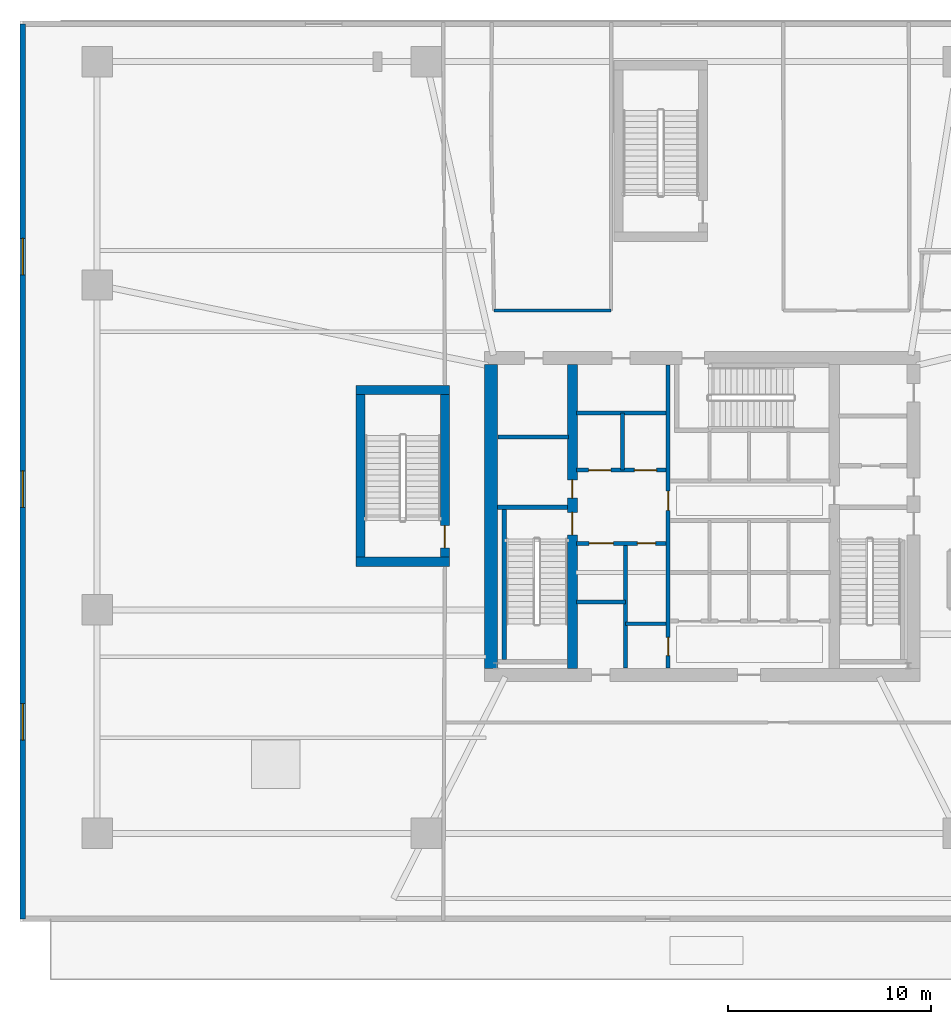
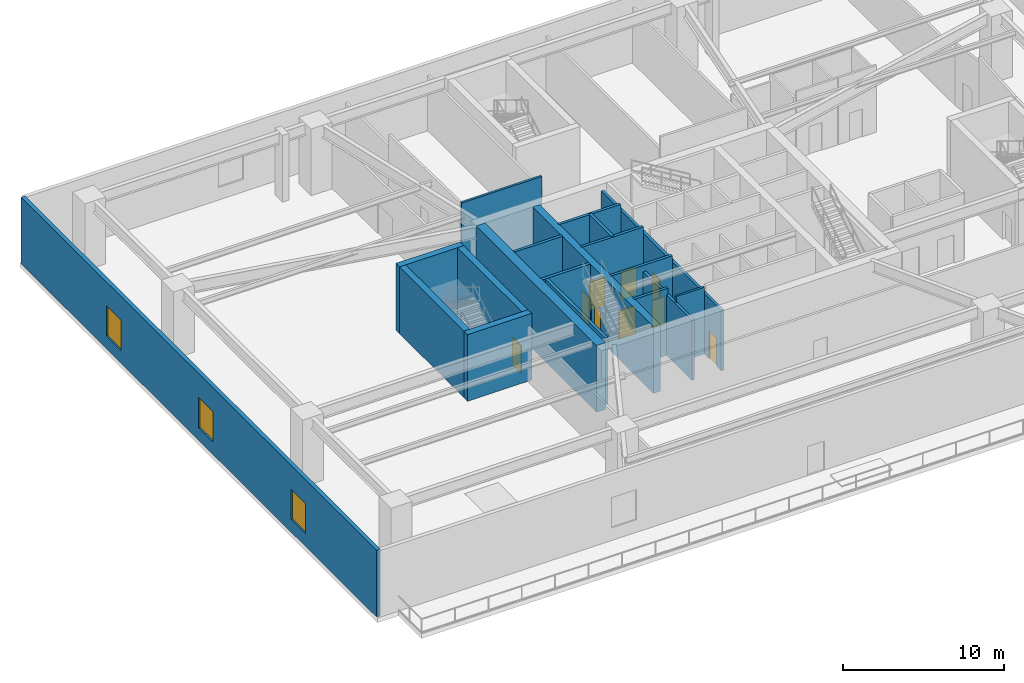
# One storey, part 4 of 11: 19 walls, 9 doors, 3 windows, 12 openings.
"""IFC4 building model written with IfcOpenShell, lengths in metres."""

from ifc_helpers import new_model, si_unit, direction, frame, frame_2d, origin, place, context, subcontext, project, spatial, rectangle, extrude, material, layer, layer_set, type_object, element, fill, save


model = new_model("IFC4")

# Units and contexts
model_context = context("Model", 3, precision=1e-05, world=origin(), true_north=direction((0.0, 1.0)))
body_context = subcontext(model_context, "Body", "Model", "MODEL_VIEW")
ifc_project = project(units=[si_unit("LENGTHUNIT", "METRE"), si_unit("AREAUNIT", "SQUARE_METRE"), si_unit("VOLUMEUNIT", "CUBIC_METRE"), si_unit("PLANEANGLEUNIT", "RADIAN"), si_unit("MASSUNIT", "GRAM", prefix="KILO")], contexts=[model_context])

# Site, building, storey
site_placement = place(None, origin())
site = spatial("IfcSite", under=ifc_project, at=site_placement, CompositionType="ELEMENT")
building_placement = place(site_placement, origin())
building = spatial("IfcBuilding", under=site, at=building_placement, Name="Qarnah Convention Tower", CompositionType="ELEMENT")
storey_placement = place(building_placement, frame((0.0, 0.0, 10.800048828125)))
storey = spatial("IfcBuildingStorey", under=building, at=storey_placement, Name="L02", CompositionType="ELEMENT", Elevation=10.800048828125)

# Wall
ifc_material_1 = material(Name="Concrete C60/75", Category="concrete")
ifc_layer_1 = layer(ifc_material_1, 0.64990234375)
ifc_layer_set_1 = layer_set([ifc_layer_1], Name="Concrete C60/75")
wall_type_1 = type_object("IfcWallType", Name="WL-CORE-650", PredefinedType="SHEAR", material=ifc_layer_set_1)
wall_1_placement = place(storey_placement, frame((26.800048828125, 18.925048828125, 0.0), z_axis=(0.0, 0.0, 1.0), x_axis=(0.0, 1.0, 0.0)))
element("IfcWall", 1, at=wall_1_placement, inside=storey, type_object=wall_type_1, Name="L02 core west shear wall", PredefinedType="SHEAR", context=body_context, shape_type="SweptSolid", body=[
    extrude(rectangle(XDim=14.949951171875, YDim=0.64990234375, at=frame_2d((7.47509765625, 0.0))), origin(), (0.0, 0.0, 1.0), 5.050048828125),
])

# Wall, openings, doors
ifc_layer_2 = layer(ifc_material_1, 0.5)
ifc_layer_set_2 = layer_set([ifc_layer_2], Name="Concrete C60/75")
wall_type_2 = type_object("IfcWallType", Name="WL-CORE-INT-400", PredefinedType="SHEAR", material=ifc_layer_set_2)
wall_2_placement = place(storey_placement, frame((30.800048828125, 18.925048828125, 0.0), z_axis=(0.0, 0.0, 1.0), x_axis=(0.0, 1.0, 0.0)))
wall_2 = element("IfcWall", 2, at=wall_2_placement, inside=storey, type_object=wall_type_2, Name="L02 core west spine shear wall", PredefinedType="SHEAR", context=body_context, shape_type="SweptSolid", body=[
    extrude(rectangle(XDim=14.949951171875, YDim=0.5, at=frame_2d((7.47509765625, 0.0))), origin(), (0.0, 0.0, 1.0), 5.050048828125),
])
opening_1_placement = place(wall_2_placement, frame((6.574951171875, 0.0, 0.0)))
opening_1 = element("IfcOpeningElement", 3, at=opening_1_placement, cuts=wall_2, Name="Opening D-0201", PredefinedType="OPENING", context=body_context, shape_type="SweptSolid", body=[
    extrude(rectangle(XDim=1.10009765625, YDim=2.14990234375, at=frame_2d((0.550048828125, 1.074951171875))), frame((0.0, 0.260009765625, 0.0), z_axis=(0.0, -1.0, 0.0), x_axis=(1.0, 0.0, 0.0)), (0.0, 0.0, 1.0), 0.52001953125),
])
opening_2_placement = place(wall_2_placement, frame((8.375, 0.0, 0.0)))
opening_2 = element("IfcOpeningElement", 4, at=opening_2_placement, cuts=wall_2, Name="Opening D-0208", PredefinedType="OPENING", context=body_context, shape_type="SweptSolid", body=[
    extrude(rectangle(XDim=0.89990234375, YDim=2.10009765625, at=frame_2d((0.449951171875, 1.050048828125))), frame((0.0, 0.260009765625, 0.0), z_axis=(0.0, -1.0, 0.0), x_axis=(1.0, 0.0, 0.0)), (0.0, 0.0, 1.0), 0.52001953125),
])
ifc_material_2 = material(Name="Structural steel S355JR", Category="steel")
door_type_1 = type_object("IfcDoorType", Name="DT-RISER-900", OperationType="NOTDEFINED", PredefinedType="DOOR", material=ifc_material_2)
door_1_placement = place(opening_2_placement, origin())
door_1 = element("IfcDoor", 5, at=door_1_placement, inside=storey, type_object=door_type_1, Name="Door D-0208", OperationType="SINGLE_SWING_LEFT", OverallHeight=2.10009765625, OverallWidth=0.89990234375, PredefinedType="DOOR", context=body_context, shape_type="SweptSolid", body=[
    extrude(rectangle(XDim=0.89990234375, YDim=2.10009765625, at=frame_2d((0.449951171875, 1.050048828125))), frame((0.0, 0.02490234375, 0.0), z_axis=(0.0, -1.0, 0.0), x_axis=(1.0, 0.0, 0.0)), (0.0, 0.0, 1.0), 0.050048828125),
])
fill(opening_2, door_1)
door_type_2 = type_object("IfcDoorType", Name="DT-STAIR-1100", OperationType="NOTDEFINED", PredefinedType="DOOR", material=ifc_material_2)
door_2_placement = place(opening_1_placement, origin())
door_2 = element("IfcDoor", 6, at=door_2_placement, inside=storey, type_object=door_type_2, Name="Door D-0201", OperationType="SINGLE_SWING_RIGHT", OverallHeight=2.14990234375, OverallWidth=1.10009765625, PredefinedType="DOOR", context=body_context, shape_type="SweptSolid", body=[
    extrude(rectangle(XDim=1.10009765625, YDim=2.14990234375, at=frame_2d((0.550048828125, 1.074951171875))), frame((0.0, 0.02490234375, 0.0), z_axis=(0.0, -1.0, 0.0), x_axis=(1.0, 0.0, 0.0)), (0.0, 0.0, 1.0), 0.050048828125),
])
fill(opening_1, door_2)

# Wall
ifc_material_3 = material(Name="Concrete C45/55", Category="concrete")
ifc_layer_3 = layer(ifc_material_3, 0.199951171875)
ifc_layer_set_3 = layer_set([ifc_layer_3], Name="Concrete C45/55")
wall_type_3 = type_object("IfcWallType", Name="WL-CORE-PART-200", PredefinedType="SOLIDWALL", material=ifc_layer_set_3)
wall_3_placement = place(storey_placement, frame((27.14990234375, 30.320068359375, 0.0), z_axis=(0.0, 0.0, 1.0), x_axis=(1.0, 0.0, 0.0)))
element("IfcWall", 7, at=wall_3_placement, inside=storey, type_object=wall_type_3, Name="L02 interior wall IW-L02-ELRN", PredefinedType="SOLIDWALL", context=body_context, shape_type="SweptSolid", body=[
    extrude(rectangle(XDim=3.4501953125, YDim=0.199951171875, at=frame_2d((1.72509765625, 0.0))), origin(), (0.0, 0.0, 1.0), 5.050048828125),
])

# Wall, openings, doors
wall_4_placement = place(storey_placement, frame((35.52001953125, 18.949951171875, 0.0), z_axis=(0.0, 0.0, 1.0), x_axis=(0.0, 1.0, 0.0)))
wall_4 = element("IfcWall", 8, at=wall_4_placement, inside=storey, type_object=wall_type_3, Name="L02 interior wall IW-L02-CSP", PredefinedType="SOLIDWALL", context=body_context, shape_type="SweptSolid", body=[
    extrude(rectangle(XDim=14.900146484375, YDim=0.199951171875, at=frame_2d((7.4501953125, 0.0))), origin(), (0.0, 0.0, 1.0), 4.571044921875),
])
opening_3_placement = place(wall_4_placement, frame((7.7548828125, 0.0, 0.0)))
opening_3 = element("IfcOpeningElement", 9, at=opening_3_placement, cuts=wall_4, Name="Opening D-0204", PredefinedType="OPENING", context=body_context, shape_type="SweptSolid", body=[
    extrude(rectangle(XDim=0.949951171875, YDim=2.14990234375, at=frame_2d((0.47509765625, 1.074951171875))), frame((0.0, 0.10986328125, 0.0), z_axis=(0.0, -1.0, 0.0), x_axis=(1.0, 0.0, 0.0)), (0.0, 0.0, 1.0), 0.219970703125),
])
opening_4_placement = place(wall_4_placement, frame((0.60009765625, 0.0, 0.0)))
opening_4 = element("IfcOpeningElement", 10, at=opening_4_placement, cuts=wall_4, Name="Opening D-0214", PredefinedType="OPENING", context=body_context, shape_type="SweptSolid", body=[
    extrude(rectangle(XDim=0.89990234375, YDim=2.10009765625, at=frame_2d((0.449951171875, 1.050048828125))), frame((0.0, 0.10986328125, 0.0), z_axis=(0.0, -1.0, 0.0), x_axis=(1.0, 0.0, 0.0)), (0.0, 0.0, 1.0), 0.219970703125),
])
ifc_material_4 = material(Name="Oak timber veneer", Category="wood")
door_type_3 = type_object("IfcDoorType", Name="DT-HOTEL-950", OperationType="NOTDEFINED", PredefinedType="DOOR", material=ifc_material_4)
door_3_placement = place(opening_3_placement, origin())
door_3 = element("IfcDoor", 11, at=door_3_placement, inside=storey, type_object=door_type_3, Name="Door D-0204", OperationType="SINGLE_SWING_LEFT", OverallHeight=2.14990234375, OverallWidth=0.949951171875, PredefinedType="DOOR", context=body_context, shape_type="SweptSolid", body=[
    extrude(rectangle(XDim=0.949951171875, YDim=2.14990234375, at=frame_2d((0.47509765625, 1.074951171875))), frame((0.0, 0.02490234375, 0.0), z_axis=(0.0, -1.0, 0.0), x_axis=(1.0, 0.0, 0.0)), (0.0, 0.0, 1.0), 0.050048828125),
])
fill(opening_3, door_3)
door_4_placement = place(opening_4_placement, origin())
door_4 = element("IfcDoor", 12, at=door_4_placement, inside=storey, type_object=door_type_1, Name="Door D-0214", OperationType="SINGLE_SWING_LEFT", OverallHeight=2.10009765625, OverallWidth=0.89990234375, PredefinedType="DOOR", context=body_context, shape_type="SweptSolid", body=[
    extrude(rectangle(XDim=0.89990234375, YDim=2.10009765625, at=frame_2d((0.449951171875, 1.050048828125))), frame((0.0, 0.02490234375, 0.0), z_axis=(0.0, -1.0, 0.0), x_axis=(1.0, 0.0, 0.0)), (0.0, 0.0, 1.0), 0.050048828125),
])
fill(opening_4, door_4)

wall_5_placement = place(storey_placement, frame((31.0, 28.679931640625, 0.0), z_axis=(0.0, 0.0, 1.0), x_axis=(1.0, 0.0, 0.0)))
wall_5 = element("IfcWall", 13, at=wall_5_placement, inside=storey, type_object=wall_type_3, Name="L02 interior wall IW-L02-FFLS", PredefinedType="SOLIDWALL", context=body_context, shape_type="SweptSolid", body=[
    extrude(rectangle(XDim=4.419921875, YDim=0.199951171875, at=frame_2d((2.2099609375, 0.0))), origin(), (0.0, 0.0, 1.0), 5.050048828125),
])
opening_5_placement = place(wall_5_placement, frame((0.60009765625, 0.0, 0.0)))
opening_5 = element("IfcOpeningElement", 14, at=opening_5_placement, cuts=wall_5, Name="Opening LD-0201", PredefinedType="OPENING", context=body_context, shape_type="SweptSolid", body=[
    extrude(rectangle(XDim=1.10009765625, YDim=2.14990234375, at=frame_2d((0.550048828125, 1.074951171875))), frame((0.0, 0.10986328125, 0.0), z_axis=(0.0, -1.0, 0.0), x_axis=(1.0, 0.0, 0.0)), (0.0, 0.0, 1.0), 0.219970703125),
])
opening_6_placement = place(wall_5_placement, frame((2.85009765625, 0.0, 0.0)))
opening_6 = element("IfcOpeningElement", 15, at=opening_6_placement, cuts=wall_5, Name="Opening LD-0202", PredefinedType="OPENING", context=body_context, shape_type="SweptSolid", body=[
    extrude(rectangle(XDim=1.10009765625, YDim=2.14990234375, at=frame_2d((0.550048828125, 1.074951171875))), frame((0.0, 0.10986328125, 0.0), z_axis=(0.0, -1.0, 0.0), x_axis=(1.0, 0.0, 0.0)), (0.0, 0.0, 1.0), 0.219970703125),
])
door_type_4 = type_object("IfcDoorType", Name="DT-LIFT-1100", OperationType="SLIDING_TO_LEFT", PredefinedType="DOOR", material=ifc_material_2)
door_5_placement = place(opening_5_placement, origin())
door_5 = element("IfcDoor", 16, at=door_5_placement, inside=storey, type_object=door_type_4, Name="Door LD-0201", OperationType="SLIDING_TO_LEFT", OverallHeight=2.14990234375, OverallWidth=1.10009765625, PredefinedType="DOOR", context=body_context, shape_type="SweptSolid", body=[
    extrude(rectangle(XDim=1.10009765625, YDim=2.14990234375, at=frame_2d((0.550048828125, 1.074951171875))), frame((0.0, 0.02490234375, 0.0), z_axis=(0.0, -1.0, 0.0), x_axis=(1.0, 0.0, 0.0)), (0.0, 0.0, 1.0), 0.050048828125),
])
fill(opening_5, door_5)
door_6_placement = place(opening_6_placement, origin())
door_6 = element("IfcDoor", 17, at=door_6_placement, inside=storey, type_object=door_type_4, Name="Door LD-0202", OperationType="SLIDING_TO_LEFT", OverallHeight=2.14990234375, OverallWidth=1.10009765625, PredefinedType="DOOR", context=body_context, shape_type="SweptSolid", body=[
    extrude(rectangle(XDim=1.10009765625, YDim=2.14990234375, at=frame_2d((0.550048828125, 1.074951171875))), frame((0.0, 0.02490234375, 0.0), z_axis=(0.0, -1.0, 0.0), x_axis=(1.0, 0.0, 0.0)), (0.0, 0.0, 1.0), 0.050048828125),
])
fill(opening_6, door_6)

# Walls
wall_6_placement = place(storey_placement, frame((31.0, 31.5, 0.0), z_axis=(0.0, 0.0, 1.0), x_axis=(1.0, 0.0, 0.0)))
element("IfcWall", 18, at=wall_6_placement, inside=storey, type_object=wall_type_3, Name="L02 interior wall IW-L02-FFLN", PredefinedType="SOLIDWALL", context=body_context, shape_type="SweptSolid", body=[
    extrude(rectangle(XDim=4.419921875, YDim=0.199951171875, at=frame_2d((2.2099609375, 0.0))), origin(), (0.0, 0.0, 1.0), 5.050048828125),
])
wall_7_placement = place(storey_placement, frame((33.280029296875, 28.679931640625, 0.0), z_axis=(0.0, 0.0, 1.0), x_axis=(0.0, 1.0, 0.0)))
element("IfcWall", 19, at=wall_7_placement, inside=storey, type_object=wall_type_3, Name="L02 interior wall IW-L02-FFLM", PredefinedType="SOLIDWALL", context=body_context, shape_type="SweptSolid", body=[
    extrude(rectangle(XDim=2.820068359375, YDim=0.199951171875, at=frame_2d((1.41015625, 0.0))), origin(), (0.0, 0.0, 1.0), 5.050048828125),
])

# Wall, openings, doors
wall_8_placement = place(storey_placement, frame((31.0, 25.080078125, 0.0), z_axis=(0.0, 0.0, 1.0), x_axis=(1.0, 0.0, 0.0)))
wall_8 = element("IfcWall", 20, at=wall_8_placement, inside=storey, type_object=wall_type_3, Name="L02 interior wall IW-L02-FFLBS", PredefinedType="SOLIDWALL", context=body_context, shape_type="SweptSolid", body=[
    extrude(rectangle(XDim=4.419921875, YDim=0.199951171875, at=frame_2d((2.2099609375, 0.0))), origin(), (0.0, 0.0, 1.0), 5.050048828125),
])
opening_7_placement = place(wall_8_placement, frame((3.0, 0.0, 0.0)))
opening_7 = element("IfcOpeningElement", 21, at=opening_7_placement, cuts=wall_8, Name="Opening D-0215", PredefinedType="OPENING", context=body_context, shape_type="SweptSolid", body=[
    extrude(rectangle(XDim=0.89990234375, YDim=2.10009765625, at=frame_2d((0.449951171875, 1.050048828125))), frame((0.0, 0.10986328125, 0.0), z_axis=(0.0, -1.0, 0.0), x_axis=(1.0, 0.0, 0.0)), (0.0, 0.0, 1.0), 0.219970703125),
])
opening_8_placement = place(wall_8_placement, frame((0.6201171875, 0.0, 0.0)))
opening_8 = element("IfcOpeningElement", 22, at=opening_8_placement, cuts=wall_8, Name="Opening LD-0203", PredefinedType="OPENING", context=body_context, shape_type="SweptSolid", body=[
    extrude(rectangle(XDim=1.199951171875, YDim=2.14990234375, at=frame_2d((0.60009765625, 1.074951171875))), frame((0.0, 0.10986328125, 0.0), z_axis=(0.0, -1.0, 0.0), x_axis=(1.0, 0.0, 0.0)), (0.0, 0.0, 1.0), 0.219970703125),
])
door_type_5 = type_object("IfcDoorType", Name="DT-LIFT-1200", OperationType="SLIDING_TO_LEFT", PredefinedType="DOOR", material=ifc_material_2)
door_7_placement = place(opening_8_placement, origin())
door_7 = element("IfcDoor", 23, at=door_7_placement, inside=storey, type_object=door_type_5, Name="Door LD-0203", OperationType="SLIDING_TO_LEFT", OverallHeight=2.14990234375, OverallWidth=1.199951171875, PredefinedType="DOOR", context=body_context, shape_type="SweptSolid", body=[
    extrude(rectangle(XDim=1.199951171875, YDim=2.14990234375, at=frame_2d((0.60009765625, 1.074951171875))), frame((0.0, 0.02490234375, 0.0), z_axis=(0.0, -1.0, 0.0), x_axis=(1.0, 0.0, 0.0)), (0.0, 0.0, 1.0), 0.050048828125),
])
fill(opening_8, door_7)
door_8_placement = place(opening_7_placement, origin())
door_8 = element("IfcDoor", 24, at=door_8_placement, inside=storey, type_object=door_type_1, Name="Door D-0215", OperationType="SINGLE_SWING_RIGHT", OverallHeight=2.10009765625, OverallWidth=0.89990234375, PredefinedType="DOOR", context=body_context, shape_type="SweptSolid", body=[
    extrude(rectangle(XDim=0.89990234375, YDim=2.10009765625, at=frame_2d((0.449951171875, 1.050048828125))), frame((0.0, 0.02490234375, 0.0), z_axis=(0.0, -1.0, 0.0), x_axis=(1.0, 0.0, 0.0)), (0.0, 0.0, 1.0), 0.050048828125),
])
fill(opening_7, door_8)

# Walls
wall_9_placement = place(storey_placement, frame((33.419921875, 18.949951171875, 0.0), z_axis=(0.0, 0.0, 1.0), x_axis=(0.0, 1.0, 0.0)))
element("IfcWall", 25, at=wall_9_placement, inside=storey, type_object=wall_type_3, Name="L02 interior wall IW-L02-SVLE", PredefinedType="SOLIDWALL", context=body_context, shape_type="SweptSolid", body=[
    extrude(rectangle(XDim=6.130126953125, YDim=0.199951171875, at=frame_2d((3.06494140625, 0.0))), origin(), (0.0, 0.0, 1.0), 4.571044921875),
])
wall_10_placement = place(storey_placement, frame((31.0, 22.179931640625, 0.0), z_axis=(0.0, 0.0, 1.0), x_axis=(1.0, 0.0, 0.0)))
element("IfcWall", 26, at=wall_10_placement, inside=storey, type_object=wall_type_3, Name="L02 interior wall IW-L02-SVLS", PredefinedType="SOLIDWALL", context=body_context, shape_type="SweptSolid", body=[
    extrude(rectangle(XDim=2.419921875, YDim=0.199951171875, at=frame_2d((1.2099609375, 0.0))), origin(), (0.0, 0.0, 1.0), 5.050048828125),
])
ifc_layer_4 = layer(ifc_material_1, 0.219970703125)
ifc_layer_set_4 = layer_set([ifc_layer_4], Name="Concrete C60/75")
wall_type_4 = type_object("IfcWallType", Name="WL-CORE-STAIR-220", PredefinedType="SHEAR", material=ifc_layer_set_4)
wall_11_placement = place(storey_placement, frame((27.125, 26.860107421875, 0.0), z_axis=(0.0, 0.0, 1.0), x_axis=(1.0, 0.0, 0.0)))
element("IfcWall", 27, at=wall_11_placement, inside=storey, type_object=wall_type_4, Name="L02 stair shaft shear wall SW-L02-ST1N", PredefinedType="SHEAR", context=body_context, shape_type="SweptSolid", body=[
    extrude(rectangle(XDim=3.425048828125, YDim=0.219970703125, at=frame_2d((1.71240234375, 0.0))), origin(), (0.0, 0.0, 1.0), 5.050048828125),
])
wall_12_placement = place(storey_placement, frame((27.43994140625, 19.35009765625, 0.0), z_axis=(0.0, 0.0, 1.0), x_axis=(0.0, 1.0, 0.0)))
element("IfcWall", 28, at=wall_12_placement, inside=storey, type_object=wall_type_4, Name="L02 stair shaft shear wall SW-L02-ST1W", PredefinedType="SHEAR", context=body_context, shape_type="SweptSolid", body=[
    extrude(rectangle(XDim=7.39990234375, YDim=0.219970703125, at=frame_2d((3.699951171875, 0.0))), origin(), (0.0, 0.0, 1.0), 5.050048828125),
])
ifc_material_5 = material(Name="Gypsum partition board")
ifc_layer_5 = layer(ifc_material_5, 0.159912109375)
ifc_layer_set_5 = layer_set([ifc_layer_5], Name="Gypsum partition board")
wall_type_5 = type_object("IfcWallType", Name="WL-CORR-160", PredefinedType="PARTITIONING", material=ifc_layer_set_5)
wall_13_placement = place(storey_placement, frame((26.93994140625, 36.5400390625, 0.0), z_axis=(0.0, 0.0, 1.0), x_axis=(1.0, 0.0, 0.0)))
element("IfcWall", 29, at=wall_13_placement, inside=storey, type_object=wall_type_5, Name="L02 interior wall IW-L02-R-27", PredefinedType="PARTITIONING", context=body_context, shape_type="SweptSolid", body=[
    extrude(rectangle(XDim=5.760009765625, YDim=0.159912109375, at=frame_2d((2.8798828125, 0.0))), origin(), (0.0, 0.0, 1.0), 5.050048828125),
])

# Wall, openings, windows
ifc_material_6 = material(Name="Precast concrete C45/55", Category="concrete")
ifc_layer_6 = layer(ifc_material_6, 0.280029296875)
ifc_layer_set_6 = layer_set([ifc_layer_6], Name="Precast concrete C45/55")
wall_type_6 = type_object("IfcWallType", Name="WL-EXT-POD-280", PredefinedType="SOLIDWALL", material=ifc_layer_set_6)
wall_14_placement = place(storey_placement, frame((3.739990234375, 6.590087890625, 0.0), z_axis=(0.0, 0.0, 1.0), x_axis=(0.0, 1.0, 0.0)))
wall_14 = element("IfcWall", 30, at=wall_14_placement, inside=storey, type_object=wall_type_6, Name="L02 precast facade wall W", PredefinedType="SOLIDWALL", context=body_context, shape_type="SweptSolid", body=[
    extrude(rectangle(XDim=44.06982421875, YDim=0.280029296875, at=frame_2d((22.034912109375, 0.0))), origin(), (0.0, 0.0, 1.0), 5.050048828125),
])
opening_9_placement = place(wall_14_placement, frame((8.794921875, 0.0, 0.949951171875)))
opening_9 = element("IfcOpeningElement", 31, at=opening_9_placement, cuts=wall_14, Name="Opening WN2", PredefinedType="OPENING", context=body_context, shape_type="SweptSolid", body=[
    extrude(rectangle(XDim=1.800048828125, YDim=2.300048828125, at=frame_2d((0.89990234375, 1.14990234375))), frame((0.0, 0.14990234375, 0.0), z_axis=(0.0, -1.0, 0.0), x_axis=(1.0, 0.0, 0.0)), (0.0, 0.0, 1.0), 0.300048828125),
])
opening_10_placement = place(wall_14_placement, frame((20.25390625, 0.0, 0.949951171875)))
opening_10 = element("IfcOpeningElement", 32, at=opening_10_placement, cuts=wall_14, Name="Opening WN2", PredefinedType="OPENING", context=body_context, shape_type="SweptSolid", body=[
    extrude(rectangle(XDim=1.800048828125, YDim=2.300048828125, at=frame_2d((0.89990234375, 1.14990234375))), frame((0.0, 0.14990234375, 0.0), z_axis=(0.0, -1.0, 0.0), x_axis=(1.0, 0.0, 0.0)), (0.0, 0.0, 1.0), 0.300048828125),
])
opening_11_placement = place(wall_14_placement, frame((31.7119140625, 0.0, 0.949951171875)))
opening_11 = element("IfcOpeningElement", 33, at=opening_11_placement, cuts=wall_14, Name="Opening WN2", PredefinedType="OPENING", context=body_context, shape_type="SweptSolid", body=[
    extrude(rectangle(XDim=1.800048828125, YDim=2.300048828125, at=frame_2d((0.89990234375, 1.14990234375))), frame((0.0, 0.14990234375, 0.0), z_axis=(0.0, -1.0, 0.0), x_axis=(1.0, 0.0, 0.0)), (0.0, 0.0, 1.0), 0.300048828125),
])
ifc_material_7 = material(Name="Tempered Low-E dark glass", Category="glass")
window_type = type_object("IfcWindowType", Name="WT-POD-1800X2400", PartitioningType="SINGLE_PANEL", PredefinedType="WINDOW", material=ifc_material_7)
window_1_placement = place(opening_9_placement, origin())
window_1 = element("IfcWindow", 34, at=window_1_placement, inside=storey, type_object=window_type, Name="Window WIN-L02-W1", OverallHeight=2.300048828125, OverallWidth=1.800048828125, PartitioningType="SINGLE_PANEL", PredefinedType="WINDOW", context=body_context, shape_type="SweptSolid", body=[
    extrude(rectangle(XDim=1.800048828125, YDim=2.300048828125, at=frame_2d((0.89990234375, 1.14990234375))), frame((0.0, 0.030029296875, 0.0), z_axis=(0.0, -1.0, 0.0), x_axis=(1.0, 0.0, 0.0)), (0.0, 0.0, 1.0), 0.06005859375),
])
fill(opening_9, window_1)
window_2_placement = place(opening_10_placement, origin())
window_2 = element("IfcWindow", 35, at=window_2_placement, inside=storey, type_object=window_type, Name="Window WIN-L02-W2", OverallHeight=2.300048828125, OverallWidth=1.800048828125, PartitioningType="SINGLE_PANEL", PredefinedType="WINDOW", context=body_context, shape_type="SweptSolid", body=[
    extrude(rectangle(XDim=1.800048828125, YDim=2.300048828125, at=frame_2d((0.89990234375, 1.14990234375))), frame((0.0, 0.030029296875, 0.0), z_axis=(0.0, -1.0, 0.0), x_axis=(1.0, 0.0, 0.0)), (0.0, 0.0, 1.0), 0.06005859375),
])
fill(opening_10, window_2)
window_3_placement = place(opening_11_placement, origin())
window_3 = element("IfcWindow", 36, at=window_3_placement, inside=storey, type_object=window_type, Name="Window WIN-L02-W3", OverallHeight=2.300048828125, OverallWidth=1.800048828125, PartitioningType="SINGLE_PANEL", PredefinedType="WINDOW", context=body_context, shape_type="SweptSolid", body=[
    extrude(rectangle(XDim=1.800048828125, YDim=2.300048828125, at=frame_2d((0.89990234375, 1.14990234375))), frame((0.0, 0.030029296875, 0.0), z_axis=(0.0, -1.0, 0.0), x_axis=(1.0, 0.0, 0.0)), (0.0, 0.0, 1.0), 0.06005859375),
])
fill(opening_11, window_3)

# Walls
ifc_layer_7 = layer(ifc_material_1, 0.449951171875)
ifc_layer_set_7 = layer_set([ifc_layer_7], Name="Concrete C60/75")
wall_type_7 = type_object("IfcWallType", Name="WL-POD-CORE-450", PredefinedType="SHEAR", material=ifc_layer_set_7)
for number, where, z_axis, x_axis, name in (
    (37, (20.14990234375, 24.175048828125, 0.0), (0.0, 0.0, 1.0), (1.0, 0.0, 0.0), "L02 podium stair ST-5 south wall"),
    (38, (20.14990234375, 32.625, 0.0), (0.0, 0.0, 1.0), (1.0, 0.0, 0.0), "L02 podium stair ST-5 north wall"),
):
    element("IfcWall", number, at=place(storey_placement, frame(where, z_axis=z_axis, x_axis=x_axis)), inside=storey, type_object=wall_type_7, Name=name, PredefinedType="SHEAR", context=body_context, shape_type="SweptSolid", body=[
        extrude(rectangle(XDim=4.60009765625, YDim=0.449951171875, at=frame_2d((2.300048828125, 0.0))), origin(), (0.0, 0.0, 1.0), 5.050048828125),
    ])
wall_15_placement = place(storey_placement, frame((20.375, 24.39990234375, 0.0), z_axis=(0.0, 0.0, 1.0), x_axis=(0.0, 1.0, 0.0)))
element("IfcWall", 39, at=wall_15_placement, inside=storey, type_object=wall_type_7, Name="L02 podium stair ST-5 west wall", PredefinedType="SHEAR", context=body_context, shape_type="SweptSolid", body=[
    extrude(rectangle(XDim=8.0, YDim=0.449951171875, at=frame_2d((4.0, 0.0))), origin(), (0.0, 0.0, 1.0), 5.050048828125),
])

# Wall, opening, door
wall_16_placement = place(storey_placement, frame((24.52490234375, 24.39990234375, 0.0), z_axis=(0.0, 0.0, 1.0), x_axis=(0.0, 1.0, 0.0)))
wall_16 = element("IfcWall", 40, at=wall_16_placement, inside=storey, type_object=wall_type_7, Name="L02 podium stair ST-5 east wall", PredefinedType="SHEAR", context=body_context, shape_type="SweptSolid", body=[
    extrude(rectangle(XDim=8.0, YDim=0.449951171875, at=frame_2d((4.0, 0.0))), origin(), (0.0, 0.0, 1.0), 5.050048828125),
])
opening_12_placement = place(wall_16_placement, frame((0.449951171875, 0.0, 0.0)))
opening_12 = element("IfcOpeningElement", 41, at=opening_12_placement, cuts=wall_16, Name="Opening D-0217", PredefinedType="OPENING", context=body_context, shape_type="SweptSolid", body=[
    extrude(rectangle(XDim=1.10009765625, YDim=2.14990234375, at=frame_2d((0.550048828125, 1.074951171875))), frame((0.0, 0.23486328125, 0.0), z_axis=(0.0, -1.0, 0.0), x_axis=(1.0, 0.0, 0.0)), (0.0, 0.0, 1.0), 0.469970703125),
])
door_9_placement = place(opening_12_placement, origin())
door_9 = element("IfcDoor", 42, at=door_9_placement, inside=storey, type_object=door_type_2, Name="Door D-0217", OperationType="SINGLE_SWING_RIGHT", OverallHeight=2.14990234375, OverallWidth=1.10009765625, PredefinedType="DOOR", context=body_context, shape_type="SweptSolid", body=[
    extrude(rectangle(XDim=1.10009765625, YDim=2.14990234375, at=frame_2d((0.550048828125, 1.074951171875))), frame((0.0, 0.02490234375, 0.0), z_axis=(0.0, -1.0, 0.0), x_axis=(1.0, 0.0, 0.0)), (0.0, 0.0, 1.0), 0.050048828125),
])
fill(opening_12, door_9)

# Wall
ifc_layer_8 = layer(ifc_material_5, 0.14990234375)
ifc_layer_set_8 = layer_set([ifc_layer_8], Name="Gypsum partition board")
wall_type_8 = type_object("IfcWallType", Name="WL-SUITE-150", PredefinedType="PARTITIONING", material=ifc_layer_set_8)
wall_17_placement = place(storey_placement, frame((33.419921875, 21.1201171875, 0.0), z_axis=(0.0, 0.0, 1.0), x_axis=(1.0, 0.0, 0.0)))
element("IfcWall", 43, at=wall_17_placement, inside=storey, type_object=wall_type_8, Name="L02 interior wall IW-L02-CSV1", PredefinedType="PARTITIONING", context=body_context, shape_type="SweptSolid", body=[
    extrude(rectangle(XDim=2.0, YDim=0.14990234375, at=frame_2d((1.0, 0.0))), origin(), (0.0, 0.0, 1.0), 5.050048828125),
])

save(model, "model.ifc")
